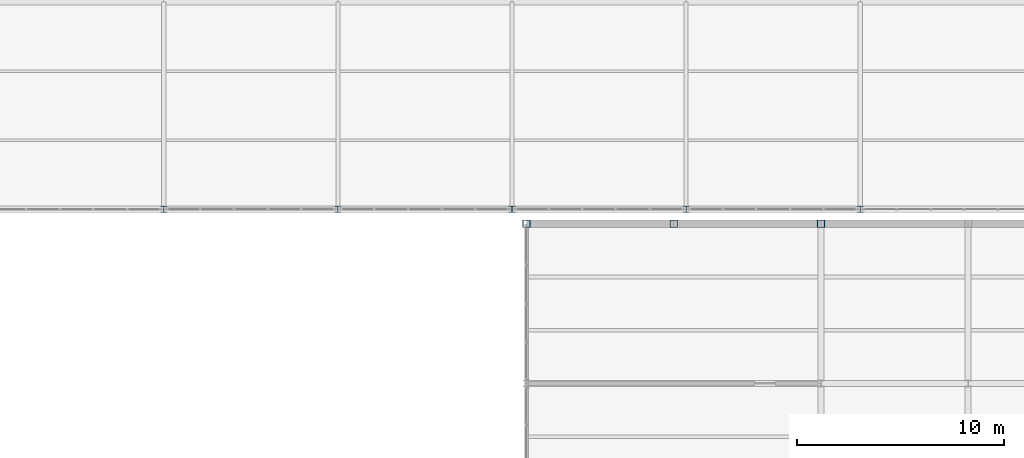
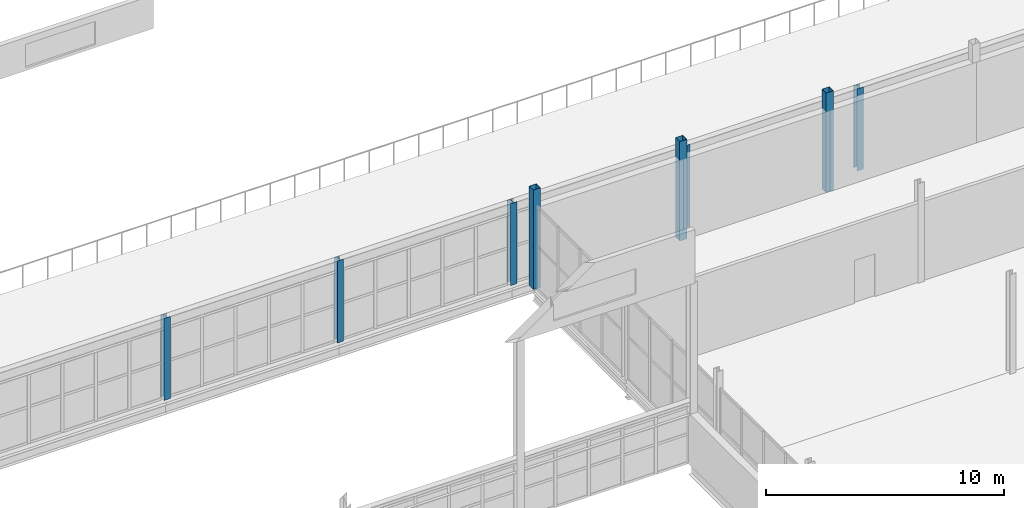
# One storey, part 25 of 218: 8 columns.
"""IFC4 building model written with IfcOpenShell, lengths in metres."""

from ifc_helpers import new_model, si_unit, direction, frame, origin, origin_2d, place, context, subcontext, project, spatial, hollow_rectangle, i_section, extrude, material, material_profile, profile_set, type_object, element, save


model = new_model("IFC4")

# Units and contexts
model_context = context("Model", 3, precision=1e-05, world=origin(), true_north=direction((0.0, 1.0)))
body_context = subcontext(model_context, "Body", "Model", "MODEL_VIEW")
ifc_project = project(units=[si_unit("LENGTHUNIT", "METRE"), si_unit("AREAUNIT", "SQUARE_METRE"), si_unit("VOLUMEUNIT", "CUBIC_METRE"), si_unit("PLANEANGLEUNIT", "RADIAN"), si_unit("MASSUNIT", "GRAM", prefix="KILO")], contexts=[model_context])

# Site, building, storey
site_placement = place(None, origin())
site = spatial("IfcSite", under=ifc_project, at=site_placement, CompositionType="ELEMENT")
building_placement = place(site_placement, origin())
building = spatial("IfcBuilding", under=site, at=building_placement, Name="Kazenagashi Tramway Depot", CompositionType="ELEMENT")
storey_placement = place(building_placement, frame((0.0, 0.0, 6.0)))
storey = spatial("IfcBuildingStorey", under=building, at=storey_placement, Name="L02", CompositionType="ELEMENT", Elevation=6.0)

# Columns
ifc_material_1 = material(Name="Steel SN490B", Category="steel")
ifc_material_profile_1 = material_profile(ifc_material_1, i_section(OverallWidth=0.3, OverallDepth=0.3, WebThickness=0.01, FlangeThickness=0.015, at=origin_2d()), Name="H-300x300x10x15")
ifc_profile_set_1 = profile_set([ifc_material_profile_1], Name="Steel SN490B")
column_type_1 = type_object("IfcColumnType", Name="C-05", PredefinedType="COLUMN", material=ifc_profile_set_1)
for number, where, z_axis, x_axis, name in (
    (1, (128.8, 70.0, 0.0), (0.0, 0.0, 1.0), (1.0, 0.0, 0.0), "Column C-05 COL-0062"),
    (2, (137.2, 70.0, 0.0), (0.0, 0.0, 1.0), (1.0, 0.0, 0.0), "Column C-05 COL-0068"),
    (3, (145.6, 70.0, 0.0), (0.0, 0.0, 1.0), (1.0, 0.0, 0.0), "Column C-05 COL-0074"),
    (4, (154.0, 70.0, 0.0), (0.0, 0.0, 1.0), (1.0, 0.0, 0.0), "Column C-05 COL-0080"),
    (5, (162.4, 70.0, 0.0), (0.0, 0.0, 1.0), (1.0, 0.0, 0.0), "Column C-05 COL-0086"),
):
    element("IfcColumn", number, at=place(storey_placement, frame(where, z_axis=z_axis, x_axis=x_axis)), inside=storey, type_object=column_type_1, Name=name, PredefinedType="COLUMN", context=body_context, shape_type="SweptSolid", body=[
        extrude(i_section(OverallWidth=0.3, OverallDepth=0.3, WebThickness=0.01, FlangeThickness=0.015, at=origin_2d()), origin(), (0.0, 0.0, 1.0), 4.2),
    ])
ifc_material_2 = material(Name="Steel STKR490", Category="steel")
ifc_material_profile_2 = material_profile(ifc_material_2, hollow_rectangle(XDim=0.35, YDim=0.35, WallThickness=0.012, at=origin_2d()), Name="SHS-350x350x12")
ifc_profile_set_2 = profile_set([ifc_material_profile_2], Name="Steel STKR490")
column_type_2 = type_object("IfcColumnType", Name="C-09", PredefinedType="COLUMN", material=ifc_profile_set_2)
for number, where, z_axis, x_axis, name in (
    (6, (146.3, 69.3, 0.0), (0.0, 0.0, 1.0), (1.0, 0.0, 0.0), "Column C-09 COL-0387"),
    (7, (153.4, 69.3, 0.0), (0.0, 0.0, 1.0), (1.0, 0.0, 0.0), "Column C-09 COL-0392"),
    (8, (160.5, 69.3, 0.0), (0.0, 0.0, 1.0), (1.0, 0.0, 0.0), "Column C-09 COL-0417"),
):
    element("IfcColumn", number, at=place(storey_placement, frame(where, z_axis=z_axis, x_axis=x_axis)), inside=storey, type_object=column_type_2, Name=name, PredefinedType="COLUMN", context=body_context, shape_type="SweptSolid", body=[
        extrude(hollow_rectangle(XDim=0.35, YDim=0.35, WallThickness=0.012, at=origin_2d()), origin(), (0.0, 0.0, 1.0), 5.1),
    ])

save(model, "model.ifc")
